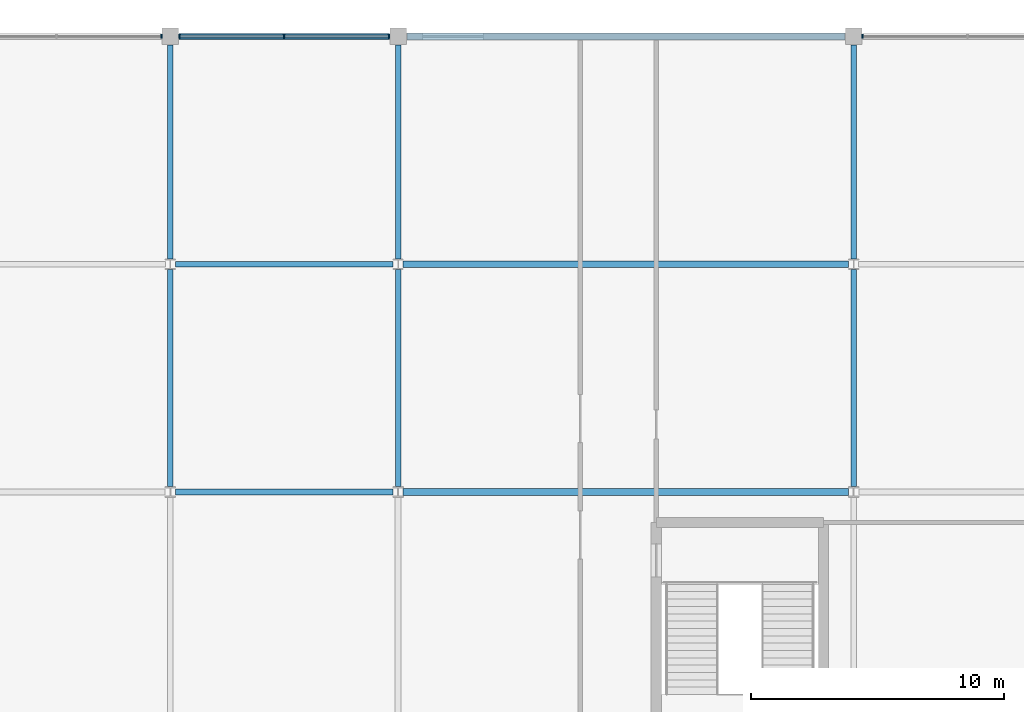
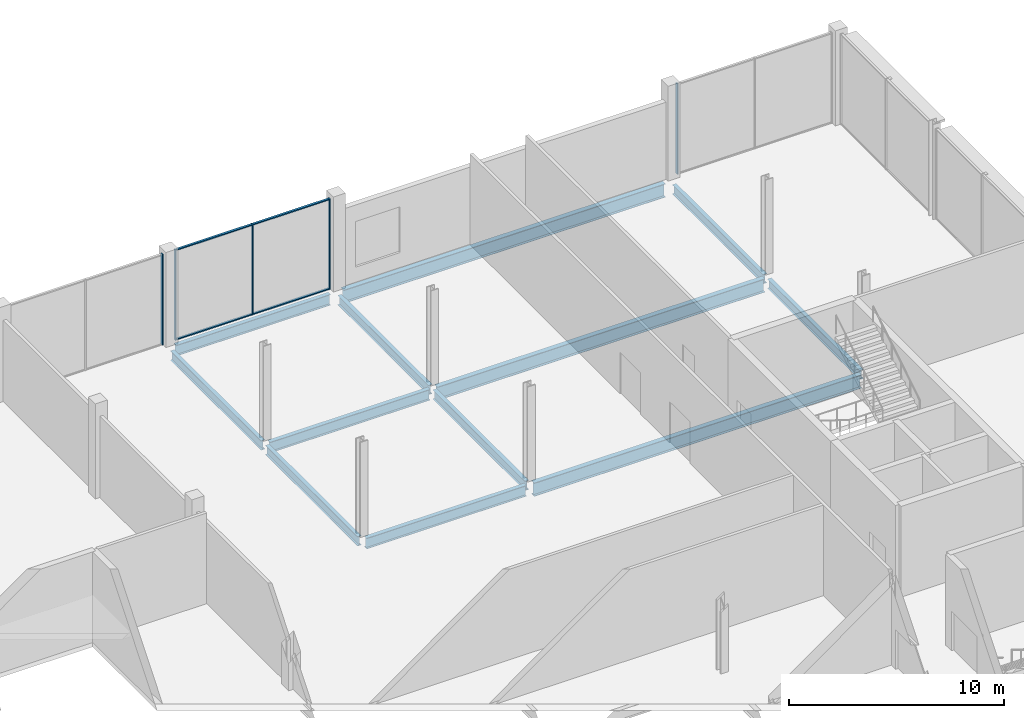
# One storey, part 57 of 113: 12 beams, 9 members, 3 elements without a shape of their own.
"""IFC4 building model written with IfcOpenShell, lengths in metres."""

from ifc_helpers import new_model, si_unit, direction, frame, origin, origin_2d, place, context, subcontext, project, spatial, rectangle, i_section, extrude, material, layer, layer_set, material_profile, profile_set, type_object, element, aggregate, save


model = new_model("IFC4")

# Units and contexts
model_context = context("Model", 3, precision=1e-05, world=origin(), true_north=direction((0.0, 1.0)))
body_context = subcontext(model_context, "Body", "Model", "MODEL_VIEW")
ifc_project = project(units=[si_unit("LENGTHUNIT", "METRE"), si_unit("AREAUNIT", "SQUARE_METRE"), si_unit("VOLUMEUNIT", "CUBIC_METRE"), si_unit("PLANEANGLEUNIT", "RADIAN"), si_unit("MASSUNIT", "GRAM", prefix="KILO")], contexts=[model_context])

# Site, building, storey
site_placement = place(None, origin())
site = spatial("IfcSite", under=ifc_project, at=site_placement, CompositionType="ELEMENT")
building_placement = place(site_placement, origin())
building = spatial("IfcBuilding", under=site, at=building_placement, Name="Kisiwana Market Hall", CompositionType="ELEMENT")
storey_placement = place(building_placement, frame((0.0, 0.0, 6.0)))
storey = spatial("IfcBuildingStorey", under=building, at=storey_placement, Name="L01", CompositionType="ELEMENT", Elevation=6.0)

# Beams
ifc_material_1 = material(Name="Steel S355", Category="steel")
ifc_material_profile_1 = material_profile(ifc_material_1, i_section(OverallWidth=0.209228515625, OverallDepth=0.533203125, WebThickness=0.010009765625, FlangeThickness=0.015625, at=origin_2d()), Name="UB 533x210x92")
ifc_profile_set_1 = profile_set([ifc_material_profile_1], Name="Steel S355")
beam_type_1 = type_object("IfcBeamType", Name="BM-GIRD-UB533", PredefinedType="BEAM", material=ifc_profile_set_1)
beam_1_placement = place(storey_placement, frame((162.0, 102.21337890625, -0.5166015625), z_axis=(0.0, 1.0, 0.0), x_axis=(-1.0, 0.0, 0.0)))
element("IfcBeam", 1, at=beam_1_placement, inside=storey, type_object=beam_type_1, Name="Primary girder B-0405", PredefinedType="BEAM", context=body_context, shape_type="SweptSolid", body=[
    extrude(i_section(OverallWidth=0.209228515625, OverallDepth=0.533203125, WebThickness=0.010009765625, FlangeThickness=0.015625, at=origin_2d()), origin(), (0.0, 0.0, 1.0), 8.58740234375),
])
beam_2_placement = place(storey_placement, frame((162.0, 111.19921875, -0.5166015625), z_axis=(0.0, 1.0, 0.0), x_axis=(-1.0, 0.0, 0.0)))
element("IfcBeam", 2, at=beam_2_placement, inside=storey, type_object=beam_type_1, Name="Primary girder B-0406", PredefinedType="BEAM", context=body_context, shape_type="SweptSolid", body=[
    extrude(i_section(OverallWidth=0.209228515625, OverallDepth=0.533203125, WebThickness=0.010009765625, FlangeThickness=0.015625, at=origin_2d()), origin(), (0.0, 0.0, 1.0), 8.454833984375),
])
beam_3_placement = place(storey_placement, frame((171.0, 102.21337890625, -0.5166015625), z_axis=(0.0, 1.0, 0.0), x_axis=(-1.0, 0.0, 0.0)))
element("IfcBeam", 3, at=beam_3_placement, inside=storey, type_object=beam_type_1, Name="Primary girder B-0411", PredefinedType="BEAM", context=body_context, shape_type="SweptSolid", body=[
    extrude(i_section(OverallWidth=0.209228515625, OverallDepth=0.533203125, WebThickness=0.010009765625, FlangeThickness=0.015625, at=origin_2d()), origin(), (0.0, 0.0, 1.0), 8.58740234375),
])
beam_4_placement = place(storey_placement, frame((171.0, 111.19921875, -0.5166015625), z_axis=(0.0, 1.0, 0.0), x_axis=(-1.0, 0.0, 0.0)))
element("IfcBeam", 4, at=beam_4_placement, inside=storey, type_object=beam_type_1, Name="Primary girder B-0412", PredefinedType="BEAM", context=body_context, shape_type="SweptSolid", body=[
    extrude(i_section(OverallWidth=0.209228515625, OverallDepth=0.533203125, WebThickness=0.010009765625, FlangeThickness=0.015625, at=origin_2d()), origin(), (0.0, 0.0, 1.0), 8.454833984375),
])
beam_5_placement = place(storey_placement, frame((189.0, 102.21337890625, -0.5166015625), z_axis=(0.0, 1.0, 0.0), x_axis=(-1.0, 0.0, 0.0)))
element("IfcBeam", 5, at=beam_5_placement, inside=storey, type_object=beam_type_1, Name="Primary girder B-0419", PredefinedType="BEAM", context=body_context, shape_type="SweptSolid", body=[
    extrude(i_section(OverallWidth=0.209228515625, OverallDepth=0.533203125, WebThickness=0.010009765625, FlangeThickness=0.015625, at=origin_2d()), origin(), (0.0, 0.0, 1.0), 8.58740234375),
])
beam_6_placement = place(storey_placement, frame((189.0, 111.19921875, -0.5166015625), z_axis=(0.0, 1.0, 0.0), x_axis=(-1.0, 0.0, 0.0)))
element("IfcBeam", 6, at=beam_6_placement, inside=storey, type_object=beam_type_1, Name="Primary girder B-0420", PredefinedType="BEAM", context=body_context, shape_type="SweptSolid", body=[
    extrude(i_section(OverallWidth=0.209228515625, OverallDepth=0.533203125, WebThickness=0.010009765625, FlangeThickness=0.015625, at=origin_2d()), origin(), (0.0, 0.0, 1.0), 8.454833984375),
])
ifc_material_2 = material(Name="Steel S355", Category="steel")
ifc_material_profile_2 = material_profile(ifc_material_2, i_section(OverallWidth=0.22900390625, OverallDepth=0.6123046875, WebThickness=0.011962890625, FlangeThickness=0.01953125, at=origin_2d()), Name="UB 610x229x125")
ifc_profile_set_2 = profile_set([ifc_material_profile_2], Name="Steel S355")
beam_type_2 = type_object("IfcBeamType", Name="BM-GIRD-UB610H", PredefinedType="BEAM", material=ifc_profile_set_2)
beam_7_placement = place(storey_placement, frame((162.201904296875, 102.0, -0.55615234375), z_axis=(1.0, 0.0, 0.0), x_axis=(0.0, 1.0, 0.0)))
element("IfcBeam", 7, at=beam_7_placement, inside=storey, type_object=beam_type_2, Name="Floor beam B-0530", PredefinedType="BEAM", context=body_context, shape_type="SweptSolid", body=[
    extrude(i_section(OverallWidth=0.22900390625, OverallDepth=0.6123046875, WebThickness=0.011962890625, FlangeThickness=0.01953125, at=origin_2d()), origin(), (0.0, 0.0, 1.0), 8.59619140625),
])
beam_8_placement = place(storey_placement, frame((162.197509765625, 111.0, -0.55615234375), z_axis=(1.0, 0.0, 0.0), x_axis=(0.0, 1.0, 0.0)))
element("IfcBeam", 8, at=beam_8_placement, inside=storey, type_object=beam_type_2, Name="Floor beam B-0538", PredefinedType="BEAM", context=body_context, shape_type="SweptSolid", body=[
    extrude(i_section(OverallWidth=0.22900390625, OverallDepth=0.6123046875, WebThickness=0.011962890625, FlangeThickness=0.01953125, at=origin_2d()), origin(), (0.0, 0.0, 1.0), 8.60498046875),
])
beam_9_placement = place(storey_placement, frame((162.345947265625, 120.0, -0.55615234375), z_axis=(1.0, 0.0, 0.0), x_axis=(0.0, 1.0, 0.0)))
element("IfcBeam", 9, at=beam_9_placement, inside=storey, type_object=beam_type_2, Name="Floor beam B-0552", PredefinedType="BEAM", context=body_context, shape_type="SweptSolid", body=[
    extrude(i_section(OverallWidth=0.22900390625, OverallDepth=0.6123046875, WebThickness=0.011962890625, FlangeThickness=0.01953125, at=origin_2d()), origin(), (0.0, 0.0, 1.0), 8.30810546875),
])
ifc_material_3 = material(Name="Steel S355", Category="steel")
ifc_material_profile_3 = material_profile(ifc_material_3, i_section(OverallWidth=0.2666015625, OverallDepth=0.76220703125, WebThickness=0.014404296875, FlangeThickness=0.021484375, at=origin_2d()), Name="UB 762x267x173")
ifc_profile_set_3 = profile_set([ifc_material_profile_3], Name="Steel S355")
beam_type_3 = type_object("IfcBeamType", Name="BM-GIRD-UB762", PredefinedType="BEAM", material=ifc_profile_set_3)
beam_10_placement = place(storey_placement, frame((171.201904296875, 102.0, -0.631103515625), z_axis=(1.0, 0.0, 0.0), x_axis=(0.0, 1.0, 0.0)))
element("IfcBeam", 10, at=beam_10_placement, inside=storey, type_object=beam_type_3, Name="Floor beam B-0531", PredefinedType="BEAM", context=body_context, shape_type="SweptSolid", body=[
    extrude(i_section(OverallWidth=0.2666015625, OverallDepth=0.76220703125, WebThickness=0.014404296875, FlangeThickness=0.021484375, at=origin_2d()), origin(), (0.0, 0.0, 1.0), 17.59619140625),
])
beam_11_placement = place(storey_placement, frame((171.197509765625, 111.0, -0.631103515625), z_axis=(1.0, 0.0, 0.0), x_axis=(0.0, 1.0, 0.0)))
element("IfcBeam", 11, at=beam_11_placement, inside=storey, type_object=beam_type_3, Name="Floor beam B-0539", PredefinedType="BEAM", context=body_context, shape_type="SweptSolid", body=[
    extrude(i_section(OverallWidth=0.2666015625, OverallDepth=0.76220703125, WebThickness=0.014404296875, FlangeThickness=0.021484375, at=origin_2d()), origin(), (0.0, 0.0, 1.0), 17.60498046875),
])
beam_12_placement = place(storey_placement, frame((171.345947265625, 120.0, -0.631103515625), z_axis=(1.0, 0.0, 0.0), x_axis=(0.0, 1.0, 0.0)))
element("IfcBeam", 12, at=beam_12_placement, inside=storey, type_object=beam_type_3, Name="Floor beam B-0553", PredefinedType="BEAM", context=body_context, shape_type="SweptSolid", body=[
    extrude(i_section(OverallWidth=0.2666015625, OverallDepth=0.76220703125, WebThickness=0.014404296875, FlangeThickness=0.021484375, at=origin_2d()), origin(), (0.0, 0.0, 1.0), 17.30810546875),
])

# Curtain wall, member
ifc_material_4 = material(Name="Double-glazed solar-control low-E IGU", Category="glass")
ifc_layer = layer(ifc_material_4, 0.159912109375)
ifc_layer_set = layer_set([ifc_layer], Name="CW-FC-N-8100")
curtain_wall_type = type_object("IfcCurtainWallType", Name="CW-FC-N-8100", PredefinedType="USERDEFINED", material=ifc_layer_set)
curtain_wall_1_placement = place(storey_placement, origin())
curtain_wall_1 = element("IfcCurtainWall", 13, at=curtain_wall_1_placement, inside=storey, type_object=curtain_wall_type, Name="Unitised curtain wall CW-042 (L01)", ObjectType="UNITISED CURTAIN WALL", PredefinedType="USERDEFINED")
ifc_material_5 = material(Name="Aluminium alloy 6063-T6", Category="aluminium")
ifc_material_profile_4 = material_profile(ifc_material_5, rectangle(XDim=0.06005859375, YDim=0.159912109375, at=origin_2d()), Name="ALU MULLION 60x160")
ifc_profile_set_4 = profile_set([ifc_material_profile_4], Name="Aluminium alloy 6063-T6")
member_type_1 = type_object("IfcMemberType", Name="CW-MULL-60x160", PredefinedType="MULLION", material=ifc_profile_set_4)
member_1_placement = place(storey_placement, frame((161.64501953125, 120.0, 0.0), z_axis=(0.0, 0.0, 1.0), x_axis=(1.0, 0.0, 0.0)))
member_1 = element("IfcMember", 14, at=member_1_placement, type_object=member_type_1, Name="CW-042 mullion 3", PredefinedType="MULLION", context=body_context, shape_type="SweptSolid", body=[
    extrude(rectangle(XDim=0.06005859375, YDim=0.159912109375, at=origin_2d()), origin(), (0.0, 0.0, 1.0), 5.14990234375),
])
aggregate(curtain_wall_1, [member_1])

# Curtain wall, members
curtain_wall_2_placement = place(storey_placement, origin())
curtain_wall_2 = element("IfcCurtainWall", 15, at=curtain_wall_2_placement, inside=storey, type_object=curtain_wall_type, Name="Unitised curtain wall CW-043 (L01)", ObjectType="UNITISED CURTAIN WALL", PredefinedType="USERDEFINED")
member_2_placement = place(storey_placement, frame((162.35498046875, 120.0, 0.0), z_axis=(0.0, 0.0, 1.0), x_axis=(1.0, 0.0, 0.0)))
member_2 = element("IfcMember", 16, at=member_2_placement, type_object=member_type_1, Name="CW-043 mullion 1", PredefinedType="MULLION", context=body_context, shape_type="SweptSolid", body=[
    extrude(rectangle(XDim=0.06005859375, YDim=0.159912109375, at=origin_2d()), origin(), (0.0, 0.0, 1.0), 5.14990234375),
])
member_3_placement = place(storey_placement, frame((166.5, 120.0, 0.0), z_axis=(0.0, 0.0, 1.0), x_axis=(1.0, 0.0, 0.0)))
member_3 = element("IfcMember", 17, at=member_3_placement, type_object=member_type_1, Name="CW-043 mullion 2", PredefinedType="MULLION", context=body_context, shape_type="SweptSolid", body=[
    extrude(rectangle(XDim=0.06005859375, YDim=0.159912109375, at=origin_2d()), origin(), (0.0, 0.0, 1.0), 5.14990234375),
])
member_4_placement = place(storey_placement, frame((170.64501953125, 120.0, 0.0), z_axis=(0.0, 0.0, 1.0), x_axis=(1.0, 0.0, 0.0)))
member_4 = element("IfcMember", 18, at=member_4_placement, type_object=member_type_1, Name="CW-043 mullion 3", PredefinedType="MULLION", context=body_context, shape_type="SweptSolid", body=[
    extrude(rectangle(XDim=0.06005859375, YDim=0.159912109375, at=origin_2d()), origin(), (0.0, 0.0, 1.0), 5.14990234375),
])

# Curtain wall, member
curtain_wall_3_placement = place(storey_placement, origin())
curtain_wall_3 = element("IfcCurtainWall", 19, at=curtain_wall_3_placement, inside=storey, type_object=curtain_wall_type, Name="Unitised curtain wall CW-044 (L01)", ObjectType="UNITISED CURTAIN WALL", PredefinedType="USERDEFINED")
member_5_placement = place(storey_placement, frame((189.35498046875, 120.0, 0.0), z_axis=(0.0, 0.0, 1.0), x_axis=(1.0, 0.0, 0.0)))
member_5 = element("IfcMember", 20, at=member_5_placement, type_object=member_type_1, Name="CW-044 mullion 1", PredefinedType="MULLION", context=body_context, shape_type="SweptSolid", body=[
    extrude(rectangle(XDim=0.06005859375, YDim=0.159912109375, at=origin_2d()), origin(), (0.0, 0.0, 1.0), 5.14990234375),
])
aggregate(curtain_wall_3, [member_5])

# Member
ifc_material_6 = material(Name="Aluminium alloy 6063-T6", Category="aluminium")
ifc_material_profile_5 = material_profile(ifc_material_6, rectangle(XDim=0.1201171875, YDim=0.06005859375, at=origin_2d()), Name="ALU TRANSOM 60x120")
ifc_profile_set_5 = profile_set([ifc_material_profile_5], Name="Aluminium alloy 6063-T6")
member_type_2 = type_object("IfcMemberType", Name="CW-TRAN-60x120", PredefinedType="USERDEFINED", material=ifc_profile_set_5)
member_6_placement = place(storey_placement, frame((162.385009765625, 120.0, 0.030029296875), z_axis=(1.0, 0.0, 0.0), x_axis=(0.0, 1.0, 0.0)))
member_6 = element("IfcMember", 21, at=member_6_placement, type_object=member_type_2, Name="CW-043 transom 1.1", ObjectType="TRANSOM", PredefinedType="USERDEFINED", context=body_context, shape_type="SweptSolid", body=[
    extrude(rectangle(XDim=0.1201171875, YDim=0.06005859375, at=origin_2d()), origin(), (0.0, 0.0, 1.0), 4.0849609375),
])

member_7_placement = place(storey_placement, frame((162.385009765625, 120.0, 5.1201171875), z_axis=(1.0, 0.0, 0.0), x_axis=(0.0, 1.0, 0.0)))
member_7 = element("IfcMember", 22, at=member_7_placement, type_object=member_type_2, Name="CW-043 transom 1.2", ObjectType="TRANSOM", PredefinedType="USERDEFINED", context=body_context, shape_type="SweptSolid", body=[
    extrude(rectangle(XDim=0.1201171875, YDim=0.06005859375, at=origin_2d()), origin(), (0.0, 0.0, 1.0), 4.0849609375),
])

member_8_placement = place(storey_placement, frame((166.530029296875, 120.0, 0.030029296875), z_axis=(1.0, 0.0, 0.0), x_axis=(0.0, 1.0, 0.0)))
member_8 = element("IfcMember", 23, at=member_8_placement, type_object=member_type_2, Name="CW-043 transom 2.1", ObjectType="TRANSOM", PredefinedType="USERDEFINED", context=body_context, shape_type="SweptSolid", body=[
    extrude(rectangle(XDim=0.1201171875, YDim=0.06005859375, at=origin_2d()), origin(), (0.0, 0.0, 1.0), 4.0849609375),
])

member_9_placement = place(storey_placement, frame((166.530029296875, 120.0, 5.1201171875), z_axis=(1.0, 0.0, 0.0), x_axis=(0.0, 1.0, 0.0)))
member_9 = element("IfcMember", 24, at=member_9_placement, type_object=member_type_2, Name="CW-043 transom 2.2", ObjectType="TRANSOM", PredefinedType="USERDEFINED", context=body_context, shape_type="SweptSolid", body=[
    extrude(rectangle(XDim=0.1201171875, YDim=0.06005859375, at=origin_2d()), origin(), (0.0, 0.0, 1.0), 4.0849609375),
])

aggregate(curtain_wall_2, [member_2, member_3, member_4, member_6, member_7, member_8, member_9])

save(model, "model.ifc")
